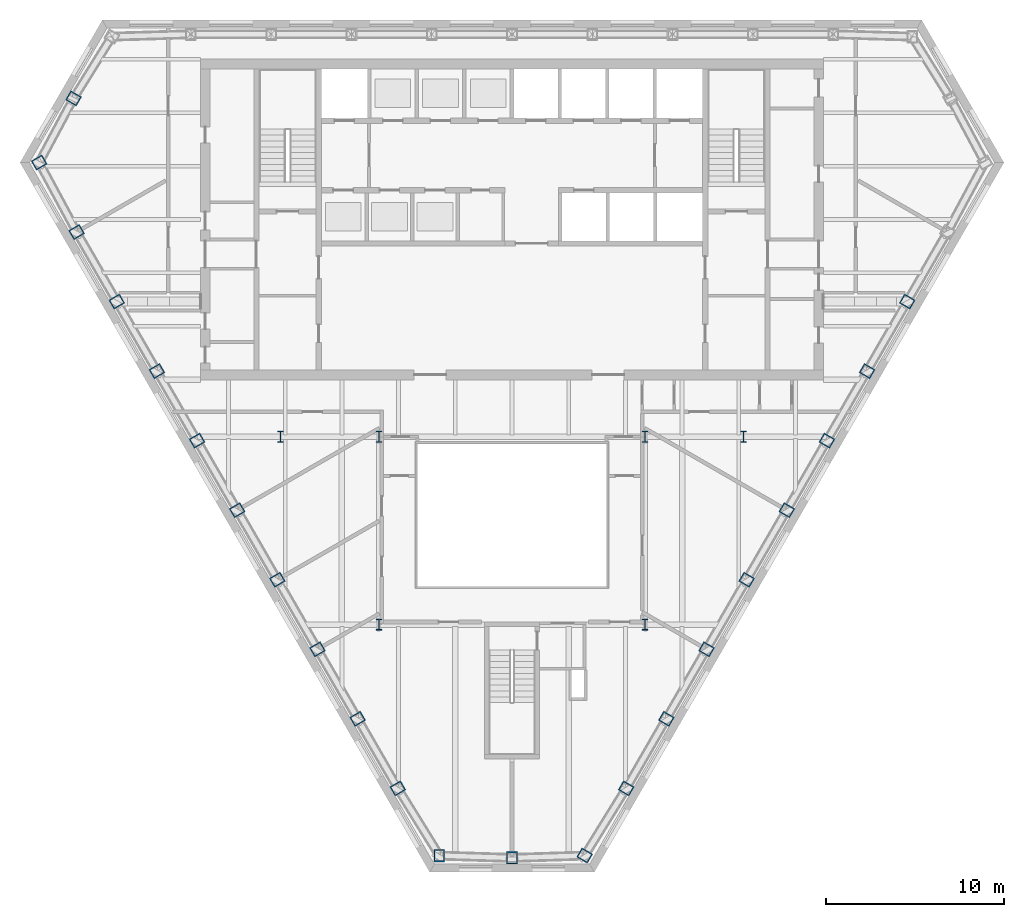
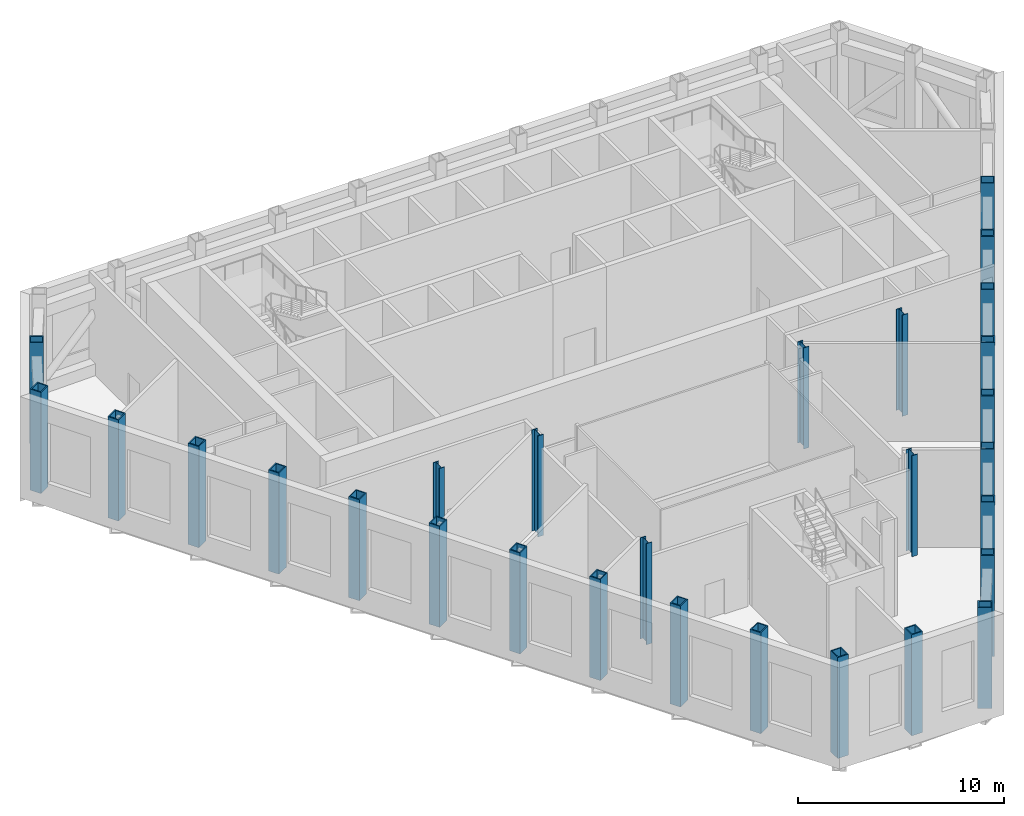
# One storey, part 1 of 15: 28 columns.
"""IFC4 building model written with IfcOpenShell, lengths in metres."""

from ifc_helpers import new_model, si_unit, direction, frame, origin, origin_2d, place, context, subcontext, project, spatial, hollow_rectangle, i_section, extrude, material, material_profile, profile_set, type_object, element, save


model = new_model("IFC4")

# Units and contexts
model_context = context("Model", 3, precision=1e-05, world=origin(), true_north=direction((0.0, 1.0)))
body_context = subcontext(model_context, "Body", "Model", "MODEL_VIEW")
ifc_project = project(units=[si_unit("LENGTHUNIT", "METRE"), si_unit("AREAUNIT", "SQUARE_METRE"), si_unit("VOLUMEUNIT", "CUBIC_METRE"), si_unit("PLANEANGLEUNIT", "RADIAN"), si_unit("MASSUNIT", "GRAM", prefix="KILO")], contexts=[model_context])

# Site, building, storey
site_placement = place(None, origin())
site = spatial("IfcSite", under=ifc_project, at=site_placement, CompositionType="ELEMENT")
building_placement = place(site_placement, origin())
building = spatial("IfcBuilding", under=site, at=building_placement, Name="Njiva Tower", CompositionType="ELEMENT")
storey_placement = place(building_placement, frame((0.0, 0.0, 133.8)))
storey = spatial("IfcBuildingStorey", under=building, at=storey_placement, Name="L28", CompositionType="ELEMENT", Elevation=133.8)

# Columns
ifc_material = material(Name="Steel S355 J2", Category="steel")
ifc_material_profile_1 = material_profile(ifc_material, i_section(OverallWidth=0.305, OverallDepth=0.62, WebThickness=0.021, FlangeThickness=0.04, at=origin_2d()), Name="HEM 600")
ifc_profile_set_1 = profile_set([ifc_material_profile_1], Name="Steel S355 J2")
column_type_1 = type_object("IfcColumnType", Name="C10 Interior column HEM 600", PredefinedType="COLUMN", material=ifc_profile_set_1)
for number, where, z_axis, x_axis, name in (
    (1, (7.46, -3.2, 0.0), (0.0, 0.0, 1.0), (1.0, 0.0, 0.0), "Interior column T2-C37"),
    (2, (-7.46, -3.2, 0.0), (0.0, 0.0, 1.0), (1.0, 0.0, 0.0), "Interior column T2-C38"),
    (3, (7.46, -13.75, 0.0), (0.0, 0.0, 1.0), (1.0, 0.0, 0.0), "Interior column T2-C39"),
    (4, (-7.46, -13.75, 0.0), (0.0, 0.0, 1.0), (1.0, 0.0, 0.0), "Interior column T2-C40"),
    (5, (13.0, -3.2, 0.0), (0.0, 0.0, 1.0), (1.0, 0.0, 0.0), "Interior column T2-C41"),
    (6, (-13.0, -3.2, 0.0), (0.0, 0.0, 1.0), (1.0, 0.0, 0.0), "Interior column T2-C42"),
):
    element("IfcColumn", number, at=place(storey_placement, frame(where, z_axis=z_axis, x_axis=x_axis)), inside=storey, type_object=column_type_1, Name=name, PredefinedType="COLUMN", context=body_context, shape_type="SweptSolid", body=[
        extrude(i_section(OverallWidth=0.305, OverallDepth=0.62, WebThickness=0.021, FlangeThickness=0.04, at=origin_2d()), origin(), (0.0, 0.0, 1.0), 6.0),
    ])
ifc_material_profile_2 = material_profile(ifc_material, hollow_rectangle(XDim=0.6, YDim=0.7, WallThickness=0.06, at=origin_2d()), Name="BOX 700x600x60")
ifc_profile_set_2 = profile_set([ifc_material_profile_2], Name="Steel S355 J2")
column_type_2 = type_object("IfcColumnType", Name="C9 Perimeter tube column BOX 700x600x60", PredefinedType="COLUMN", material=ifc_profile_set_2)
for number, where, z_axis, x_axis, name in (
    (7, (-24.622, 15.799, 0.0), (0.0, 0.0, 1.0), (-0.5, -0.866025403784, 0.0), "Perimeter tube column T2-C12"),
    (8, (-26.548, 12.198, 0.0), (0.0, 0.0, 1.0), (0.5, -0.866025403784, 0.0), "Perimeter tube column T2-C13"),
    (9, (-24.447, 8.293, 0.0), (0.0, 0.0, 1.0), (0.5, -0.866025403784, 0.0), "Perimeter tube column T2-C14"),
    (10, (-22.193, 4.389, 0.0), (0.0, 0.0, 1.0), (0.5, -0.866025403784, 0.0), "Perimeter tube column T2-C15"),
    (11, (-19.938, 0.484, 0.0), (0.0, 0.0, 1.0), (0.5, -0.866025403784, 0.0), "Perimeter tube column T2-C16"),
    (12, (-17.684, -3.42, 0.0), (0.0, 0.0, 1.0), (0.5, -0.866025403784, 0.0), "Perimeter tube column T2-C17"),
    (13, (-15.43, -7.325, 0.0), (0.0, 0.0, 1.0), (0.5, -0.866025403784, 0.0), "Perimeter tube column T2-C18"),
    (14, (-13.175, -11.23, 0.0), (0.0, 0.0, 1.0), (0.5, -0.866025403784, 0.0), "Perimeter tube column T2-C19"),
    (15, (-10.921, -15.134, 0.0), (0.0, 0.0, 1.0), (0.5, -0.866025403784, 0.0), "Perimeter tube column T2-C20"),
    (16, (-8.667, -19.039, 0.0), (0.0, 0.0, 1.0), (0.5, -0.866025403784, 0.0), "Perimeter tube column T2-C21"),
    (17, (-6.412, -22.943, 0.0), (0.0, 0.0, 1.0), (0.5, -0.866025403784, 0.0), "Perimeter tube column T2-C22"),
    (18, (-4.081, -26.715, 0.0), (0.0, 0.0, 1.0), (1.0, 0.0, 0.0), "Perimeter tube column T2-C23"),
    (19, (0.0, -26.848, 0.0), (0.0, 0.0, 1.0), (1.0, 0.0, 0.0), "Perimeter tube column T2-C24"),
    (20, (4.081, -26.715, 0.0), (0.0, 0.0, 1.0), (0.5, 0.866025403784, 0.0), "Perimeter tube column T2-C25"),
    (21, (6.412, -22.943, 0.0), (0.0, 0.0, 1.0), (0.5, 0.866025403784, 0.0), "Perimeter tube column T2-C26"),
    (22, (8.667, -19.039, 0.0), (0.0, 0.0, 1.0), (0.5, 0.866025403784, 0.0), "Perimeter tube column T2-C27"),
    (23, (10.921, -15.134, 0.0), (0.0, 0.0, 1.0), (0.5, 0.866025403784, 0.0), "Perimeter tube column T2-C28"),
    (24, (13.175, -11.23, 0.0), (0.0, 0.0, 1.0), (0.5, 0.866025403784, 0.0), "Perimeter tube column T2-C29"),
    (25, (15.43, -7.325, 0.0), (0.0, 0.0, 1.0), (0.5, 0.866025403784, 0.0), "Perimeter tube column T2-C30"),
    (26, (17.684, -3.42, 0.0), (0.0, 0.0, 1.0), (0.5, 0.866025403784, 0.0), "Perimeter tube column T2-C31"),
    (27, (19.938, 0.484, 0.0), (0.0, 0.0, 1.0), (0.5, 0.866025403784, 0.0), "Perimeter tube column T2-C32"),
    (28, (22.193, 4.389, 0.0), (0.0, 0.0, 1.0), (0.5, 0.866025403784, 0.0), "Perimeter tube column T2-C33"),
):
    element("IfcColumn", number, at=place(storey_placement, frame(where, z_axis=z_axis, x_axis=x_axis)), inside=storey, type_object=column_type_2, Name=name, PredefinedType="COLUMN", context=body_context, shape_type="SweptSolid", body=[
        extrude(hollow_rectangle(XDim=0.6, YDim=0.7, WallThickness=0.06, at=origin_2d()), origin(), (0.0, 0.0, 1.0), 6.0),
    ])

save(model, "model.ifc")
